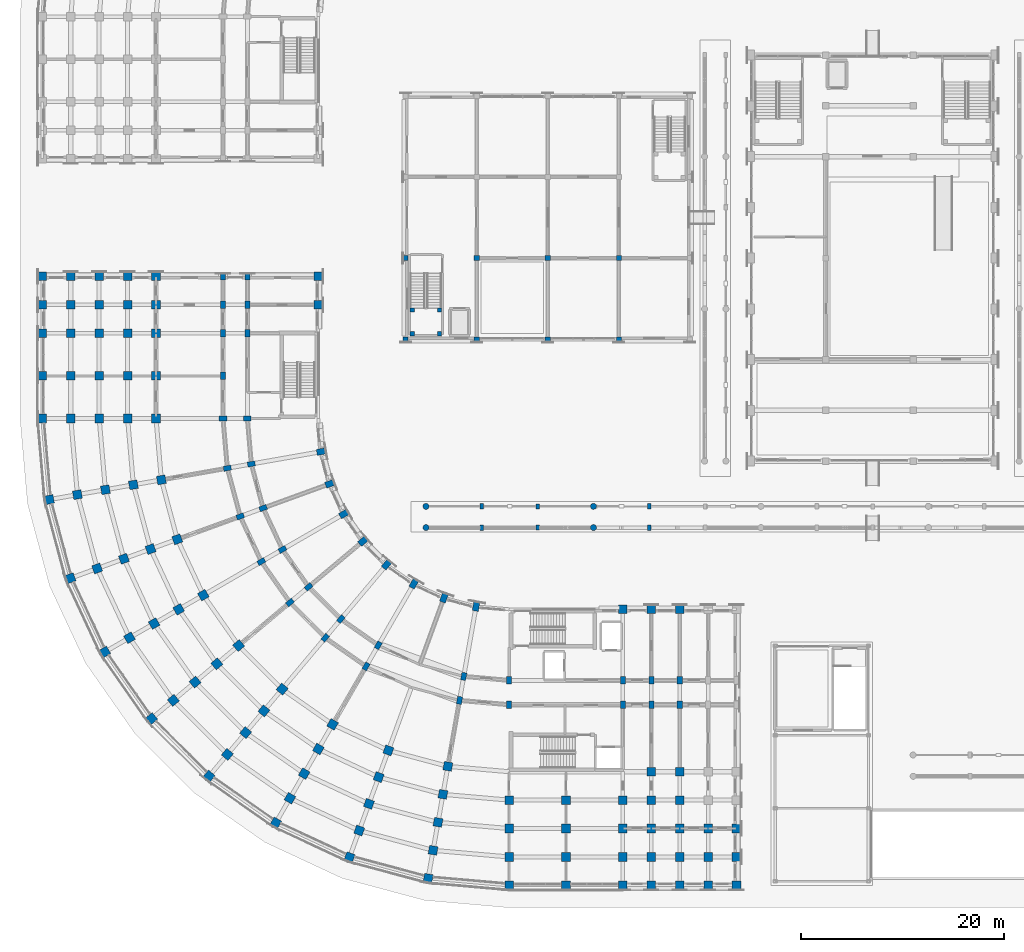
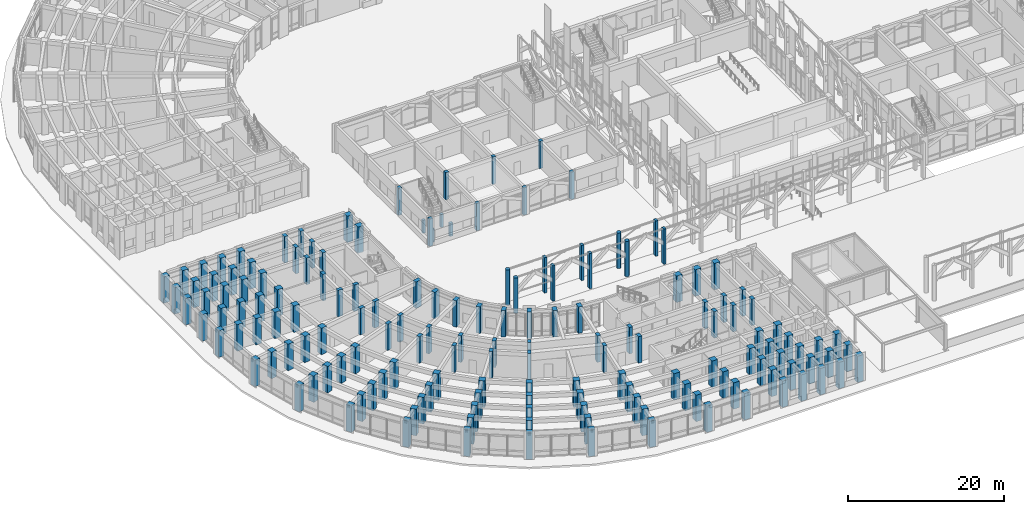
# One storey, part 1 of 135: 159 columns.
"""IFC4 building model written with IfcOpenShell, lengths in metres."""

import ifcopenshell
import ifcopenshell.guid

model = None  # the IFC model being written
_history = None  # IfcOwnerHistory: only IFC2X3 demands one
_inside = {}  # id of a spatial element -> (the spatial element, [elements in it])
_under = {}  # id of a project, library or spatial element -> (it, [spatial elements below it])
_declared = {}  # id of a project -> (the project, [libraries it declares])
_typed = {}  # id of a type object -> (the type object, [elements of that type])
_made_of = {}  # id of a material, layer set ... -> (it, [elements and type objects made of it])


def new_model(schema):
    """Start an empty IFC model of exactly this schema.

    Asked for "IFC4X3", IfcOpenShell would pick the latest addendum, in which some entities
    have other attributes; the version numbers below select the first issue.
    IFC2X3 requires an IfcOwnerHistory on every rooted entity: one is made here for all.
    """
    global model, _history
    if schema == "IFC4X3":
        model = ifcopenshell.file(schema_version=(4, 3, 0, 0))
    else:
        model = ifcopenshell.file(schema=schema)
    _inside.clear()
    _under.clear()
    _declared.clear()
    _typed.clear()
    _made_of.clear()
    _history = None
    if model.schema == "IFC2X3":
        org = make("IfcOrganization", Name="unknown")
        user = make(
            "IfcPersonAndOrganization",
            ThePerson=make("IfcPerson", FamilyName="unknown"),
            TheOrganization=org,
        )
        app = make(
            "IfcApplication",
            ApplicationDeveloper=org,
            Version="unknown",
            ApplicationFullName="unknown",
            ApplicationIdentifier="unknown",
        )
        _history = make(
            "IfcOwnerHistory",
            OwningUser=user,
            OwningApplication=app,
            ChangeAction="ADDED",
            CreationDate=0,
        )
    return model


def make(cls, **values):
    """One entity of the class cls with the attributes given. An attribute that is None is left unset."""
    return model.create_entity(
        cls, **{name: value for name, value in values.items() if value is not None}
    )


def rooted(cls, **values):
    """An entity with a GlobalId (a new one), such as an element, a storey or a relation."""
    return make(cls, GlobalId=ifcopenshell.guid.new(), OwnerHistory=_history, **values)


def si_unit(unit_type, name, prefix=None):
    """IfcSIUnit, for example si_unit("LENGTHUNIT", "METRE", prefix="MILLI")."""
    return make("IfcSIUnit", UnitType=unit_type, Prefix=prefix, Name=name)


def assignment(units):
    """IfcUnitAssignment: the units of a project."""
    return None if units is None else make("IfcUnitAssignment", Units=units)


def point(xyz):
    """IfcCartesianPoint."""
    return None if xyz is None else make("IfcCartesianPoint", Coordinates=xyz)


def direction(xyz):
    """IfcDirection."""
    return None if xyz is None else make("IfcDirection", DirectionRatios=xyz)


def frame(location, z_axis=None, x_axis=None):
    """IfcAxis2Placement3D, a coordinate frame: its origin and axes. An axis left out is left unset."""
    return make(
        "IfcAxis2Placement3D",
        Location=point(location),
        Axis=direction(z_axis),
        RefDirection=direction(x_axis),
    )


def frame_2d(location, x_axis=None):
    """IfcAxis2Placement2D, a coordinate frame in the plane: its origin and x axis."""
    return make(
        "IfcAxis2Placement2D", Location=point(location), RefDirection=direction(x_axis)
    )


def origin():
    """The frame at (0, 0, 0) with its axes left unset."""
    return frame((0.0, 0.0, 0.0))


def origin_2d():
    """The frame at (0, 0) in the plane with its x axis left unset."""
    return frame_2d((0.0, 0.0))


def place(relative_to, where):
    """IfcLocalPlacement: puts the frame where relative to a parent placement (None: the world)."""
    return make(
        "IfcLocalPlacement", PlacementRelTo=relative_to, RelativePlacement=where
    )


def context(
    kind, dimensions, precision=None, world=None, true_north=None, identifier=None
):
    """IfcGeometricRepresentationContext, for example the 3D "Model" context."""
    return make(
        "IfcGeometricRepresentationContext",
        ContextIdentifier=identifier,
        ContextType=kind,
        CoordinateSpaceDimension=dimensions,
        Precision=precision,
        WorldCoordinateSystem=world,
        TrueNorth=true_north,
    )


def subcontext(parent, identifier, kind, view, scale=None):
    """IfcGeometricRepresentationSubContext, for example "Body" below "Model"."""
    return make(
        "IfcGeometricRepresentationSubContext",
        ContextIdentifier=identifier,
        ContextType=kind,
        ParentContext=parent,
        TargetScale=scale,
        TargetView=view,
    )


def project(units=None, contexts=None):
    """IfcProject with its units and contexts."""
    return rooted(
        "IfcProject",
        Name="project",
        RepresentationContexts=contexts,
        UnitsInContext=assignment(units),
    )


def spatial(cls, under=None, at=None, **own):
    """A site, building, storey or space (cls), placed at a placement, below another one or the project."""
    s = rooted(cls, ObjectPlacement=at, **own)
    if under is not None:
        _under.setdefault(under.id(), (under, []))[1].append(s)
    return s


def profile(cls, at=None, kind="AREA", **sizes):
    """A parametric profile (cls). Its sizes go by their IFC names, for example OverallWidth=200.0."""
    return make(cls, ProfileType=kind, Position=at, **sizes)


def rectangle(**sizes):
    """IfcRectangleProfileDef."""
    return profile("IfcRectangleProfileDef", **sizes)


def circle(**sizes):
    """IfcCircleProfileDef."""
    return profile("IfcCircleProfileDef", **sizes)


def extrude(swept, where, along, depth):
    """IfcExtrudedAreaSolid: the profile swept, set in the frame where, extruded along a direction by depth."""
    return make(
        "IfcExtrudedAreaSolid",
        SweptArea=swept,
        Position=where,
        ExtrudedDirection=direction(along),
        Depth=depth,
    )


def shape(context_of_items, identifier, shape_type, items):
    """IfcShapeRepresentation: the items that make up one representation, for example the "Body"."""
    return make(
        "IfcShapeRepresentation",
        ContextOfItems=context_of_items,
        RepresentationIdentifier=identifier,
        RepresentationType=shape_type,
        Items=items,
    )


def material(Name=None, Category=None):
    """IfcMaterial."""
    return make("IfcMaterial", Name=Name, Category=Category)


def material_profile(
    of_material, cross_section, Name=None, Category=None, Priority=None
):
    """IfcMaterialProfile: a cross section and its material."""
    return make(
        "IfcMaterialProfile",
        Name=Name,
        Material=of_material,
        Profile=cross_section,
        Priority=Priority,
        Category=Category,
    )


def profile_set(profiles, Name=None, composite=None):
    """IfcMaterialProfileSet."""
    return make(
        "IfcMaterialProfileSet",
        Name=Name,
        MaterialProfiles=profiles,
        CompositeProfile=composite,
    )


def made_of(thing, what):
    """Note that an element or type object is made of a material, layer set ...; save() writes the relation."""
    if what is not None:
        _made_of.setdefault(what.id(), (what, []))[1].append(thing)
    return thing


def type_object(cls, material=None, **own):
    """A type object (cls), such as IfcWallType, which elements share."""
    return made_of(rooted(cls, **own), material)


def element(
    cls,
    number,
    at=None,
    inside=None,
    cuts=None,
    type_object=None,
    material=None,
    context=None,
    identifier="Body",
    shape_type=None,
    held_by="IfcProductDefinitionShape",
    body=None,
    shapes=None,
    **own,
):
    """One element of the class cls, such as IfcWall. Its Tag is "e" and its number.

    at: its placement. inside: the storey or other place that contains it. cuts: it is an
    opening in that element (IfcRelVoidsElement). A single representation is given by context,
    identifier, shape_type and body (its items); several are given by shapes. held_by: the class
    of the entity that holds the representations. save() writes the other relations.
    """
    e = rooted(cls, Tag="e%d" % number, ObjectPlacement=at, **own)
    if body is not None:
        shapes = [shape(context, identifier, shape_type, body)]
    if shapes is not None:
        e.Representation = make(held_by, Representations=shapes)
    if inside is not None:
        _inside.setdefault(inside.id(), (inside, []))[1].append(e)
    if cuts is not None:
        rooted(
            "IfcRelVoidsElement", RelatingBuildingElement=cuts, RelatedOpeningElement=e
        )
    if type_object is not None:
        _typed.setdefault(type_object.id(), (type_object, []))[1].append(e)
    return made_of(e, material)


def aggregate(whole, parts):
    """IfcRelAggregates: a whole, such as a stair, and the parts it consists of."""
    return rooted("IfcRelAggregates", RelatingObject=whole, RelatedObjects=parts)


def save(model, path):
    """Write the relations noted so far, then the file.

    IfcRelAggregates (storeys below a building ...), IfcRelContainedInSpatialStructure (elements
    in a storey), IfcRelDefinesByType, IfcRelAssociatesMaterial and IfcRelDeclares: one each for
    every whole, place, type object, material and project.
    """
    for whole, parts in _under.values():
        aggregate(whole, parts)
    for where, things in _inside.values():
        rooted(
            "IfcRelContainedInSpatialStructure",
            RelatedElements=things,
            RelatingStructure=where,
        )
    for kind, things in _typed.values():
        rooted("IfcRelDefinesByType", RelatedObjects=things, RelatingType=kind)
    for what, things in _made_of.values():
        rooted("IfcRelAssociatesMaterial", RelatedObjects=things, RelatingMaterial=what)
    for by, libraries in _declared.values():
        rooted("IfcRelDeclares", RelatingContext=by, RelatedDefinitions=libraries)
    model.write(path)


model = new_model("IFC4")

# Units and contexts
model_context = context("Model", 3, precision=1e-05, world=origin(), true_north=direction((0.0, 1.0)))
body_context = subcontext(model_context, "Body", "Model", "MODEL_VIEW")
ifc_project = project(units=[si_unit("LENGTHUNIT", "METRE"), si_unit("AREAUNIT", "SQUARE_METRE"), si_unit("VOLUMEUNIT", "CUBIC_METRE"), si_unit("PLANEANGLEUNIT", "RADIAN"), si_unit("MASSUNIT", "GRAM", prefix="KILO")], contexts=[model_context])

# Site, building, storey
site_placement = place(None, origin())
site = spatial("IfcSite", under=ifc_project, at=site_placement, CompositionType="ELEMENT")
building_placement = place(site_placement, origin())
building = spatial("IfcBuilding", under=site, at=building_placement, Name="Kiranvali Square Residences", CompositionType="ELEMENT")
storey_placement = place(building_placement, origin())
storey = spatial("IfcBuildingStorey", under=building, at=storey_placement, Name="L00", CompositionType="ELEMENT", Elevation=0.0)

# Columns
ifc_material_1 = material(Name="Concrete M40 (40 MPa)", Category="concrete")
ifc_material_profile_1 = material_profile(ifc_material_1, rectangle(XDim=0.39990234375, YDim=0.39990234375, at=origin_2d()), Name="RC 400x400")
ifc_profile_set_1 = profile_set([ifc_material_profile_1], Name="Concrete M40 (40 MPa)")
column_type_1 = type_object("IfcColumnType", Name="COL-M40-400", PredefinedType="COLUMN", material=ifc_profile_set_1)
for number, where, z_axis, x_axis, name in (
    (1, (38.64990234375, 56.550048828125, 0.0), (0.0, 0.0, 1.0), (1.0, 0.0, 0.0), "ST-NR1 mid-landing support column 1"),
    (2, (41.35009765625, 56.550048828125, 0.0), (0.0, 0.0, 1.0), (1.0, 0.0, 0.0), "ST-NR1 mid-landing support column 2"),
    (3, (38.64990234375, 58.8798828125, 0.0), (0.0, 0.0, 1.0), (1.0, 0.0, 0.0), "ST-NR1 mid-landing support column 3"),
    (4, (41.35009765625, 58.8798828125, 0.0), (0.0, 0.0, 1.0), (1.0, 0.0, 0.0), "ST-NR1 mid-landing support column 4"),
):
    element("IfcColumn", number, at=place(storey_placement, frame(where, z_axis=z_axis, x_axis=x_axis)), inside=storey, type_object=column_type_1, Name=name, PredefinedType="COLUMN", context=body_context, shape_type="SweptSolid", body=[
        extrude(rectangle(XDim=0.39990234375, YDim=0.39990234375, at=origin_2d()), origin(), (0.0, 0.0, 1.0), 2.050048828125),
    ])
ifc_material_profile_2 = material_profile(ifc_material_1, rectangle(XDim=0.5, YDim=0.5, at=origin_2d()), Name="RC 500x500")
ifc_profile_set_2 = profile_set([ifc_material_profile_2], Name="Concrete M40 (40 MPa)")
column_type_2 = type_object("IfcColumnType", Name="COL-M40-500", PredefinedType="COLUMN", material=ifc_profile_set_2)
for number, where, z_axis, x_axis, name in (
    (5, (38.0, 56.0, 0.0), (0.0, 0.0, 1.0), (1.0, 0.0, 0.0), "Nursery Pavilion L00 column 0-0"),
    (6, (38.0, 64.0, 0.0), (0.0, 0.0, 1.0), (1.0, 0.0, 0.0), "Nursery Pavilion L00 column 0-1"),
    (7, (45.0, 56.0, 0.0), (0.0, 0.0, 1.0), (1.0, 0.0, 0.0), "Nursery Pavilion L00 column 1-0"),
    (8, (45.0, 64.0, 0.0), (0.0, 0.0, 1.0), (1.0, 0.0, 0.0), "Nursery Pavilion L00 column 1-1"),
    (9, (52.0, 56.0, 0.0), (0.0, 0.0, 1.0), (1.0, 0.0, 0.0), "Nursery Pavilion L00 column 2-0"),
    (10, (52.0, 64.0, 0.0), (0.0, 0.0, 1.0), (1.0, 0.0, 0.0), "Nursery Pavilion L00 column 2-1"),
    (11, (59.0, 56.0, 0.0), (0.0, 0.0, 1.0), (1.0, 0.0, 0.0), "Nursery Pavilion L00 column 3-0"),
    (12, (59.0, 64.0, 0.0), (0.0, 0.0, 1.0), (1.0, 0.0, 0.0), "Nursery Pavilion L00 column 3-1"),
):
    element("IfcColumn", number, at=place(storey_placement, frame(where, z_axis=z_axis, x_axis=x_axis)), inside=storey, type_object=column_type_2, Name=name, PredefinedType="COLUMN", context=body_context, shape_type="SweptSolid", body=[
        extrude(rectangle(XDim=0.5, YDim=0.5, at=origin_2d()), origin(), (0.0, 0.0, 1.0), 4.280029296875),
    ])
ifc_material_2 = material(Name="Concrete M45 (45 MPa)", Category="concrete")
ifc_material_profile_3 = material_profile(ifc_material_2, rectangle(XDim=0.5, YDim=0.75, at=origin_2d()), Name="RC 750x500")
ifc_profile_set_3 = profile_set([ifc_material_profile_3], Name="Concrete M45 (45 MPa)")
column_type_3 = type_object("IfcColumnType", Name="COL-M45-750x500", PredefinedType="COLUMN", material=ifc_profile_set_3)
for number, where, z_axis, x_axis, name in (
    (13, (48.199951171875, 22.39990234375, 0.0), (0.0, 0.0, 1.0), (1.0, 0.0, 0.0), "Block C L00 radial column A00-R1"),
    (14, (48.199951171875, 20.0, 0.0), (0.0, 0.0, 1.0), (1.0, 0.0, 0.0), "Block C L00 radial column A00-R2"),
    (15, (43.719970703125, 22.7919921875, 0.0), (0.0, 0.0, 1.0), (-0.984807753012, 0.173648177667, 0.0), "Block C L00 radial column A01-R1"),
    (16, (43.30322265625, 20.428466796875, 0.0), (0.0, 0.0, 1.0), (-0.984807753012, 0.173648177667, 0.0), "Block C L00 radial column A01-R2"),
    (17, (35.300048828125, 25.8564453125, 0.0), (0.0, 0.0, 1.0), (-0.866025403784, 0.5, 0.0), "Block C L00 radial column A03-R1"),
    (18, (34.10009765625, 23.778076171875, 0.0), (0.0, 0.0, 1.0), (-0.866025403784, 0.5, 0.0), "Block C L00 radial column A03-R2"),
    (19, (31.615966796875, 28.43603515625, 0.0), (0.0, 0.0, 1.0), (-0.766044443119, 0.642787609687, 0.0), "Block C L00 radial column A04-R1"),
    (20, (30.073486328125, 26.59765625, 0.0), (0.0, 0.0, 1.0), (-0.766044443119, 0.642787609687, 0.0), "Block C L00 radial column A04-R2"),
    (21, (28.43603515625, 31.615966796875, 0.0), (0.0, 0.0, 1.0), (-0.642787609687, 0.766044443119, 0.0), "Block C L00 radial column A05-R1"),
    (22, (26.59765625, 30.073486328125, 0.0), (0.0, 0.0, 1.0), (-0.642787609687, 0.766044443119, 0.0), "Block C L00 radial column A05-R2"),
    (23, (25.8564453125, 35.300048828125, 0.0), (0.0, 0.0, 1.0), (-0.5, 0.866025403784, 0.0), "Block C L00 radial column A06-R1"),
    (24, (23.778076171875, 34.10009765625, 0.0), (0.0, 0.0, 1.0), (-0.5, 0.866025403784, 0.0), "Block C L00 radial column A06-R2"),
    (25, (23.955810546875, 39.3759765625, 0.0), (0.0, 0.0, 1.0), (-0.342020143326, 0.939692620786, 0.0), "Block C L00 radial column A07-R1"),
    (26, (21.70068359375, 38.554931640625, 0.0), (0.0, 0.0, 1.0), (-0.342020143326, 0.939692620786, 0.0), "Block C L00 radial column A07-R2"),
    (27, (22.7919921875, 43.719970703125, 0.0), (0.0, 0.0, 1.0), (-0.173648177667, 0.984807753012, 0.0), "Block C L00 radial column A08-R1"),
    (28, (20.428466796875, 43.30322265625, 0.0), (0.0, 0.0, 1.0), (-0.173648177667, 0.984807753012, 0.0), "Block C L00 radial column A08-R2"),
    (29, (22.39990234375, 48.199951171875, 0.0), (0.0, 0.0, 1.0), (0.0, 1.0, 0.0), "Block C L00 radial column A09-R1"),
    (30, (20.0, 48.199951171875, 0.0), (0.0, 0.0, 1.0), (0.0, 1.0, 0.0), "Block C L00 radial column A09-R2"),
    (31, (59.39990234375, 22.39990234375, 0.0), (0.0, 0.0, 1.0), (1.0, 0.0, 0.0), "Block C L00 Arm 1 column U1-R1"),
    (32, (59.39990234375, 20.0, 0.0), (0.0, 0.0, 1.0), (1.0, 0.0, 0.0), "Block C L00 Arm 1 column U1-R2"),
    (33, (62.199951171875, 22.39990234375, 0.0), (0.0, 0.0, 1.0), (1.0, 0.0, 0.0), "Block C L00 Arm 1 column U2-R1"),
    (34, (62.199951171875, 20.0, 0.0), (0.0, 0.0, 1.0), (1.0, 0.0, 0.0), "Block C L00 Arm 1 column U2-R2"),
    (35, (65.0, 22.39990234375, 0.0), (0.0, 0.0, 1.0), (1.0, 0.0, 0.0), "Block C L00 Arm 1 column U3-R1"),
    (36, (65.0, 20.0, 0.0), (0.0, 0.0, 1.0), (1.0, 0.0, 0.0), "Block C L00 Arm 1 column U3-R2"),
    (37, (20.0, 52.39990234375, 0.0), (0.0, 0.0, 1.0), (1.0, 0.0, 0.0), "Block C L00 Arm 2 mid-core column V0-R2"),
    (38, (22.39990234375, 56.60009765625, 0.0), (0.0, 0.0, 1.0), (1.0, 0.0, 0.0), "Block C L00 Arm 2 column V1-R1"),
    (39, (20.0, 56.60009765625, 0.0), (0.0, 0.0, 1.0), (1.0, 0.0, 0.0), "Block C L00 Arm 2 column V1-R2"),
    (40, (22.39990234375, 59.39990234375, 0.0), (0.0, 0.0, 1.0), (1.0, 0.0, 0.0), "Block C L00 Arm 2 column V2-R1"),
    (41, (20.0, 59.39990234375, 0.0), (0.0, 0.0, 1.0), (1.0, 0.0, 0.0), "Block C L00 Arm 2 column V2-R2"),
    (42, (22.39990234375, 62.199951171875, 0.0), (0.0, 0.0, 1.0), (1.0, 0.0, 0.0), "Block C L00 Arm 2 column V3-R1"),
    (43, (20.0, 62.199951171875, 0.0), (0.0, 0.0, 1.0), (1.0, 0.0, 0.0), "Block C L00 Arm 2 column V3-R2"),
):
    element("IfcColumn", number, at=place(storey_placement, frame(where, z_axis=z_axis, x_axis=x_axis)), inside=storey, type_object=column_type_3, Name=name, PredefinedType="COLUMN", context=body_context, shape_type="SweptSolid", body=[
        extrude(rectangle(XDim=0.5, YDim=0.75, at=origin_2d()), origin(), (0.0, 0.0, 1.0), 4.14990234375),
    ])
ifc_material_3 = material(Name="Concrete M50 (50 MPa)", Category="concrete")
ifc_material_profile_4 = material_profile(ifc_material_3, rectangle(XDim=0.85009765625, YDim=0.85009765625, at=origin_2d()), Name="RC 850x850")
ifc_profile_set_4 = profile_set([ifc_material_profile_4], Name="Concrete M50 (50 MPa)")
column_type_4 = type_object("IfcColumnType", Name="COL-M50-850", PredefinedType="COLUMN", material=ifc_profile_set_4)
for number, where, z_axis, x_axis, name in (
    (44, (48.199951171875, 10.60009765625, 0.0), (0.0, 0.0, 1.0), (1.0, 0.0, 0.0), "Block C L00 radial column A00-R4"),
    (45, (48.199951171875, 7.800048828125, 0.0), (0.0, 0.0, 1.0), (1.0, 0.0, 0.0), "Block C L00 radial column A00-R5"),
    (46, (48.199951171875, 5.0, 0.0), (0.0, 0.0, 1.0), (1.0, 0.0, 0.0), "Block C L00 radial column A00-R6"),
    (47, (48.199951171875, 2.199951171875, 0.0), (0.0, 0.0, 1.0), (1.0, 0.0, 0.0), "Block C L00 radial column A00-R7"),
    (48, (42.156982421875, 13.9287109375, 0.0), (0.0, 0.0, 1.0), (-0.984807753012, 0.173648177667, 0.0), "Block C L00 radial column A01-R3"),
    (49, (41.6708984375, 11.171142578125, 0.0), (0.0, 0.0, 1.0), (-0.984807753012, 0.173648177667, 0.0), "Block C L00 radial column A01-R4"),
    (50, (41.1845703125, 8.413818359375, 0.0), (0.0, 0.0, 1.0), (-0.984807753012, 0.173648177667, 0.0), "Block C L00 radial column A01-R5"),
    (51, (40.698486328125, 5.65625, 0.0), (0.0, 0.0, 1.0), (-0.984807753012, 0.173648177667, 0.0), "Block C L00 radial column A01-R6"),
    (52, (40.212158203125, 2.89892578125, 0.0), (0.0, 0.0, 1.0), (-0.984807753012, 0.173648177667, 0.0), "Block C L00 radial column A01-R7"),
    (53, (36.297607421875, 15.498779296875, 0.0), (0.0, 0.0, 1.0), (-0.939692620786, 0.342020143326, 0.0), "Block C L00 radial column A02-R3"),
    (54, (35.340087890625, 12.86767578125, 0.0), (0.0, 0.0, 1.0), (-0.939692620786, 0.342020143326, 0.0), "Block C L00 radial column A02-R4"),
    (55, (34.38232421875, 10.236328125, 0.0), (0.0, 0.0, 1.0), (-0.939692620786, 0.342020143326, 0.0), "Block C L00 radial column A02-R5"),
    (56, (33.4248046875, 7.605224609375, 0.0), (0.0, 0.0, 1.0), (-0.939692620786, 0.342020143326, 0.0), "Block C L00 radial column A02-R6"),
    (57, (32.467041015625, 4.97412109375, 0.0), (0.0, 0.0, 1.0), (-0.939692620786, 0.342020143326, 0.0), "Block C L00 radial column A02-R7"),
    (58, (30.800048828125, 18.062255859375, 0.0), (0.0, 0.0, 1.0), (-0.866025403784, 0.5, 0.0), "Block C L00 radial column A03-R3"),
    (59, (29.39990234375, 15.637451171875, 0.0), (0.0, 0.0, 1.0), (-0.866025403784, 0.5, 0.0), "Block C L00 radial column A03-R4"),
    (60, (28.0, 13.212646484375, 0.0), (0.0, 0.0, 1.0), (-0.866025403784, 0.5, 0.0), "Block C L00 radial column A03-R5"),
    (61, (26.60009765625, 10.78759765625, 0.0), (0.0, 0.0, 1.0), (-0.866025403784, 0.5, 0.0), "Block C L00 radial column A03-R6"),
    (62, (25.199951171875, 8.36279296875, 0.0), (0.0, 0.0, 1.0), (-0.866025403784, 0.5, 0.0), "Block C L00 radial column A03-R7"),
    (63, (25.8310546875, 21.541748046875, 0.0), (0.0, 0.0, 1.0), (-0.766044443119, 0.642787609687, 0.0), "Block C L00 radial column A04-R3"),
    (64, (24.03125, 19.396728515625, 0.0), (0.0, 0.0, 1.0), (-0.766044443119, 0.642787609687, 0.0), "Block C L00 radial column A04-R4"),
    (65, (22.2314453125, 17.251708984375, 0.0), (0.0, 0.0, 1.0), (-0.766044443119, 0.642787609687, 0.0), "Block C L00 radial column A04-R5"),
    (66, (20.431640625, 15.10693359375, 0.0), (0.0, 0.0, 1.0), (-0.766044443119, 0.642787609687, 0.0), "Block C L00 radial column A04-R6"),
    (67, (18.6318359375, 12.9619140625, 0.0), (0.0, 0.0, 1.0), (-0.766044443119, 0.642787609687, 0.0), "Block C L00 radial column A04-R7"),
    (68, (21.541748046875, 25.8310546875, 0.0), (0.0, 0.0, 1.0), (-0.642787609687, 0.766044443119, 0.0), "Block C L00 radial column A05-R3"),
    (69, (19.396728515625, 24.03125, 0.0), (0.0, 0.0, 1.0), (-0.642787609687, 0.766044443119, 0.0), "Block C L00 radial column A05-R4"),
    (70, (17.251708984375, 22.2314453125, 0.0), (0.0, 0.0, 1.0), (-0.642787609687, 0.766044443119, 0.0), "Block C L00 radial column A05-R5"),
    (71, (15.10693359375, 20.431640625, 0.0), (0.0, 0.0, 1.0), (-0.642787609687, 0.766044443119, 0.0), "Block C L00 radial column A05-R6"),
    (72, (12.9619140625, 18.6318359375, 0.0), (0.0, 0.0, 1.0), (-0.642787609687, 0.766044443119, 0.0), "Block C L00 radial column A05-R7"),
    (73, (18.062255859375, 30.800048828125, 0.0), (0.0, 0.0, 1.0), (-0.5, 0.866025403784, 0.0), "Block C L00 radial column A06-R3"),
    (74, (15.637451171875, 29.39990234375, 0.0), (0.0, 0.0, 1.0), (-0.5, 0.866025403784, 0.0), "Block C L00 radial column A06-R4"),
    (75, (13.212646484375, 28.0, 0.0), (0.0, 0.0, 1.0), (-0.5, 0.866025403784, 0.0), "Block C L00 radial column A06-R5"),
    (76, (10.78759765625, 26.60009765625, 0.0), (0.0, 0.0, 1.0), (-0.5, 0.866025403784, 0.0), "Block C L00 radial column A06-R6"),
    (77, (8.36279296875, 25.199951171875, 0.0), (0.0, 0.0, 1.0), (-0.5, 0.866025403784, 0.0), "Block C L00 radial column A06-R7"),
    (78, (15.498779296875, 36.297607421875, 0.0), (0.0, 0.0, 1.0), (-0.342020143326, 0.939692620786, 0.0), "Block C L00 radial column A07-R3"),
    (79, (12.86767578125, 35.340087890625, 0.0), (0.0, 0.0, 1.0), (-0.342020143326, 0.939692620786, 0.0), "Block C L00 radial column A07-R4"),
    (80, (10.236328125, 34.38232421875, 0.0), (0.0, 0.0, 1.0), (-0.342020143326, 0.939692620786, 0.0), "Block C L00 radial column A07-R5"),
    (81, (7.605224609375, 33.4248046875, 0.0), (0.0, 0.0, 1.0), (-0.342020143326, 0.939692620786, 0.0), "Block C L00 radial column A07-R6"),
    (82, (4.97412109375, 32.467041015625, 0.0), (0.0, 0.0, 1.0), (-0.342020143326, 0.939692620786, 0.0), "Block C L00 radial column A07-R7"),
    (83, (13.9287109375, 42.156982421875, 0.0), (0.0, 0.0, 1.0), (-0.173648177667, 0.984807753012, 0.0), "Block C L00 radial column A08-R3"),
    (84, (11.171142578125, 41.6708984375, 0.0), (0.0, 0.0, 1.0), (-0.173648177667, 0.984807753012, 0.0), "Block C L00 radial column A08-R4"),
    (85, (8.413818359375, 41.1845703125, 0.0), (0.0, 0.0, 1.0), (-0.173648177667, 0.984807753012, 0.0), "Block C L00 radial column A08-R5"),
    (86, (5.65625, 40.698486328125, 0.0), (0.0, 0.0, 1.0), (-0.173648177667, 0.984807753012, 0.0), "Block C L00 radial column A08-R6"),
    (87, (2.89892578125, 40.212158203125, 0.0), (0.0, 0.0, 1.0), (-0.173648177667, 0.984807753012, 0.0), "Block C L00 radial column A08-R7"),
    (88, (13.39990234375, 48.199951171875, 0.0), (0.0, 0.0, 1.0), (0.0, 1.0, 0.0), "Block C L00 radial column A09-R3"),
    (89, (10.60009765625, 48.199951171875, 0.0), (0.0, 0.0, 1.0), (0.0, 1.0, 0.0), "Block C L00 radial column A09-R4"),
    (90, (7.800048828125, 48.199951171875, 0.0), (0.0, 0.0, 1.0), (0.0, 1.0, 0.0), "Block C L00 radial column A09-R5"),
    (91, (5.0, 48.199951171875, 0.0), (0.0, 0.0, 1.0), (0.0, 1.0, 0.0), "Block C L00 radial column A09-R6"),
    (92, (2.199951171875, 48.199951171875, 0.0), (0.0, 0.0, 1.0), (0.0, 1.0, 0.0), "Block C L00 radial column A09-R7"),
    (93, (53.800048828125, 10.60009765625, 0.0), (0.0, 0.0, 1.0), (1.0, 0.0, 0.0), "Block C L00 core-front column U0-R4"),
    (94, (53.800048828125, 7.800048828125, 0.0), (0.0, 0.0, 1.0), (1.0, 0.0, 0.0), "Block C L00 core-front column U0-R5"),
    (95, (53.800048828125, 5.0, 0.0), (0.0, 0.0, 1.0), (1.0, 0.0, 0.0), "Block C L00 core-front column U0-R6"),
    (96, (53.800048828125, 2.199951171875, 0.0), (0.0, 0.0, 1.0), (1.0, 0.0, 0.0), "Block C L00 core-front column U0-R7"),
    (97, (59.39990234375, 29.39990234375, 0.0), (0.0, 0.0, 1.0), (1.0, 0.0, 0.0), "Block C L00 Arm 1 column U1-R0"),
    (98, (59.39990234375, 10.60009765625, 0.0), (0.0, 0.0, 1.0), (1.0, 0.0, 0.0), "Block C L00 Arm 1 column U1-R4"),
    (99, (59.39990234375, 7.800048828125, 0.0), (0.0, 0.0, 1.0), (1.0, 0.0, 0.0), "Block C L00 Arm 1 column U1-R5"),
    (100, (59.39990234375, 5.0, 0.0), (0.0, 0.0, 1.0), (1.0, 0.0, 0.0), "Block C L00 Arm 1 column U1-R6"),
    (101, (59.39990234375, 2.199951171875, 0.0), (0.0, 0.0, 1.0), (1.0, 0.0, 0.0), "Block C L00 Arm 1 column U1-R7"),
    (102, (62.199951171875, 29.39990234375, 0.0), (0.0, 0.0, 1.0), (1.0, 0.0, 0.0), "Block C L00 Arm 1 column U2-R0"),
    (103, (62.199951171875, 13.39990234375, 0.0), (0.0, 0.0, 1.0), (1.0, 0.0, 0.0), "Block C L00 Arm 1 column U2-R3"),
    (104, (62.199951171875, 10.60009765625, 0.0), (0.0, 0.0, 1.0), (1.0, 0.0, 0.0), "Block C L00 Arm 1 column U2-R4"),
    (105, (62.199951171875, 7.800048828125, 0.0), (0.0, 0.0, 1.0), (1.0, 0.0, 0.0), "Block C L00 Arm 1 column U2-R5"),
    (106, (62.199951171875, 5.0, 0.0), (0.0, 0.0, 1.0), (1.0, 0.0, 0.0), "Block C L00 Arm 1 column U2-R6"),
    (107, (62.199951171875, 2.199951171875, 0.0), (0.0, 0.0, 1.0), (1.0, 0.0, 0.0), "Block C L00 Arm 1 column U2-R7"),
    (108, (65.0, 29.39990234375, 0.0), (0.0, 0.0, 1.0), (1.0, 0.0, 0.0), "Block C L00 Arm 1 column U3-R0"),
    (109, (65.0, 13.39990234375, 0.0), (0.0, 0.0, 1.0), (1.0, 0.0, 0.0), "Block C L00 Arm 1 column U3-R3"),
    (110, (65.0, 10.60009765625, 0.0), (0.0, 0.0, 1.0), (1.0, 0.0, 0.0), "Block C L00 Arm 1 column U3-R4"),
    (111, (65.0, 7.800048828125, 0.0), (0.0, 0.0, 1.0), (1.0, 0.0, 0.0), "Block C L00 Arm 1 column U3-R5"),
    (112, (65.0, 5.0, 0.0), (0.0, 0.0, 1.0), (1.0, 0.0, 0.0), "Block C L00 Arm 1 column U3-R6"),
    (113, (65.0, 2.199951171875, 0.0), (0.0, 0.0, 1.0), (1.0, 0.0, 0.0), "Block C L00 Arm 1 column U3-R7"),
    (114, (67.800048828125, 7.800048828125, 0.0), (0.0, 0.0, 1.0), (1.0, 0.0, 0.0), "Block C L00 Arm 1 column U4-R5"),
    (115, (67.800048828125, 5.0, 0.0), (0.0, 0.0, 1.0), (1.0, 0.0, 0.0), "Block C L00 Arm 1 column U4-R6"),
    (116, (67.800048828125, 2.199951171875, 0.0), (0.0, 0.0, 1.0), (1.0, 0.0, 0.0), "Block C L00 Arm 1 column U4-R7"),
    (117, (70.60009765625, 7.800048828125, 0.0), (0.0, 0.0, 1.0), (1.0, 0.0, 0.0), "Block C L00 Arm 1 column U5-R5"),
    (118, (70.60009765625, 5.0, 0.0), (0.0, 0.0, 1.0), (1.0, 0.0, 0.0), "Block C L00 Arm 1 column U5-R6"),
    (119, (70.60009765625, 2.199951171875, 0.0), (0.0, 0.0, 1.0), (1.0, 0.0, 0.0), "Block C L00 Arm 1 column U5-R7"),
    (120, (13.39990234375, 52.39990234375, 0.0), (0.0, 0.0, 1.0), (1.0, 0.0, 0.0), "Block C L00 Arm 2 mid-core column V0-R3"),
    (121, (10.60009765625, 52.39990234375, 0.0), (0.0, 0.0, 1.0), (1.0, 0.0, 0.0), "Block C L00 Arm 2 mid-core column V0-R4"),
    (122, (7.800048828125, 52.39990234375, 0.0), (0.0, 0.0, 1.0), (1.0, 0.0, 0.0), "Block C L00 Arm 2 mid-core column V0-R5"),
    (123, (5.0, 52.39990234375, 0.0), (0.0, 0.0, 1.0), (1.0, 0.0, 0.0), "Block C L00 Arm 2 mid-core column V0-R6"),
    (124, (2.199951171875, 52.39990234375, 0.0), (0.0, 0.0, 1.0), (1.0, 0.0, 0.0), "Block C L00 Arm 2 mid-core column V0-R7"),
    (125, (13.39990234375, 56.60009765625, 0.0), (0.0, 0.0, 1.0), (1.0, 0.0, 0.0), "Block C L00 Arm 2 column V1-R3"),
    (126, (10.60009765625, 56.60009765625, 0.0), (0.0, 0.0, 1.0), (1.0, 0.0, 0.0), "Block C L00 Arm 2 column V1-R4"),
    (127, (7.800048828125, 56.60009765625, 0.0), (0.0, 0.0, 1.0), (1.0, 0.0, 0.0), "Block C L00 Arm 2 column V1-R5"),
    (128, (5.0, 56.60009765625, 0.0), (0.0, 0.0, 1.0), (1.0, 0.0, 0.0), "Block C L00 Arm 2 column V1-R6"),
    (129, (2.199951171875, 56.60009765625, 0.0), (0.0, 0.0, 1.0), (1.0, 0.0, 0.0), "Block C L00 Arm 2 column V1-R7"),
    (130, (29.39990234375, 59.39990234375, 0.0), (0.0, 0.0, 1.0), (1.0, 0.0, 0.0), "Block C L00 Arm 2 column V2-R0"),
    (131, (13.39990234375, 59.39990234375, 0.0), (0.0, 0.0, 1.0), (1.0, 0.0, 0.0), "Block C L00 Arm 2 column V2-R3"),
    (132, (10.60009765625, 59.39990234375, 0.0), (0.0, 0.0, 1.0), (1.0, 0.0, 0.0), "Block C L00 Arm 2 column V2-R4"),
    (133, (7.800048828125, 59.39990234375, 0.0), (0.0, 0.0, 1.0), (1.0, 0.0, 0.0), "Block C L00 Arm 2 column V2-R5"),
    (134, (5.0, 59.39990234375, 0.0), (0.0, 0.0, 1.0), (1.0, 0.0, 0.0), "Block C L00 Arm 2 column V2-R6"),
    (135, (2.199951171875, 59.39990234375, 0.0), (0.0, 0.0, 1.0), (1.0, 0.0, 0.0), "Block C L00 Arm 2 column V2-R7"),
    (136, (29.39990234375, 62.199951171875, 0.0), (0.0, 0.0, 1.0), (1.0, 0.0, 0.0), "Block C L00 Arm 2 column V3-R0"),
    (137, (13.39990234375, 62.199951171875, 0.0), (0.0, 0.0, 1.0), (1.0, 0.0, 0.0), "Block C L00 Arm 2 column V3-R3"),
    (138, (10.60009765625, 62.199951171875, 0.0), (0.0, 0.0, 1.0), (1.0, 0.0, 0.0), "Block C L00 Arm 2 column V3-R4"),
    (139, (7.800048828125, 62.199951171875, 0.0), (0.0, 0.0, 1.0), (1.0, 0.0, 0.0), "Block C L00 Arm 2 column V3-R5"),
    (140, (5.0, 62.199951171875, 0.0), (0.0, 0.0, 1.0), (1.0, 0.0, 0.0), "Block C L00 Arm 2 column V3-R6"),
    (141, (2.199951171875, 62.199951171875, 0.0), (0.0, 0.0, 1.0), (1.0, 0.0, 0.0), "Block C L00 Arm 2 column V3-R7"),
):
    element("IfcColumn", number, at=place(storey_placement, frame(where, z_axis=z_axis, x_axis=x_axis)), inside=storey, type_object=column_type_4, Name=name, PredefinedType="COLUMN", context=body_context, shape_type="SweptSolid", body=[
        extrude(rectangle(XDim=0.85009765625, YDim=0.85009765625, at=origin_2d()), origin(), (0.0, 0.0, 1.0), 4.14990234375),
    ])
ifc_material_profile_5 = material_profile(ifc_material_3, rectangle(XDim=0.60009765625, YDim=0.89990234375, at=origin_2d()), Name="RC 900x600")
ifc_profile_set_5 = profile_set([ifc_material_profile_5], Name="Concrete M50 (50 MPa)")
column_type_5 = type_object("IfcColumnType", Name="COL-M50-900x600", PredefinedType="COLUMN", material=ifc_profile_set_5)
for number, where, z_axis, x_axis, name in (
    (142, (44.935302734375, 29.685546875, 0.0), (0.0, 0.0, 1.0), (-0.984807753012, 0.173648177667, 0.0), "Block C L00 radial column A01-R0"),
    (143, (41.77001953125, 30.53369140625, 0.0), (0.0, 0.0, 1.0), (-0.939692620786, 0.342020143326, 0.0), "Block C L00 radial column A02-R0"),
    (144, (38.800048828125, 31.918701171875, 0.0), (0.0, 0.0, 1.0), (-0.866025403784, 0.5, 0.0), "Block C L00 radial column A03-R0"),
    (145, (36.115478515625, 33.79833984375, 0.0), (0.0, 0.0, 1.0), (-0.766044443119, 0.642787609687, 0.0), "Block C L00 radial column A04-R0"),
    (146, (33.79833984375, 36.115478515625, 0.0), (0.0, 0.0, 1.0), (-0.642787609687, 0.766044443119, 0.0), "Block C L00 radial column A05-R0"),
    (147, (31.918701171875, 38.800048828125, 0.0), (0.0, 0.0, 1.0), (-0.5, 0.866025403784, 0.0), "Block C L00 radial column A06-R0"),
    (148, (30.53369140625, 41.77001953125, 0.0), (0.0, 0.0, 1.0), (-0.342020143326, 0.939692620786, 0.0), "Block C L00 radial column A07-R0"),
    (149, (29.685546875, 44.935302734375, 0.0), (0.0, 0.0, 1.0), (-0.173648177667, 0.984807753012, 0.0), "Block C L00 radial column A08-R0"),
):
    element("IfcColumn", number, at=place(storey_placement, frame(where, z_axis=z_axis, x_axis=x_axis)), inside=storey, type_object=column_type_5, Name=name, PredefinedType="COLUMN", context=body_context, shape_type="SweptSolid", body=[
        extrude(rectangle(XDim=0.60009765625, YDim=0.89990234375, at=origin_2d()), origin(), (0.0, 0.0, 1.0), 4.14990234375),
    ])
ifc_material_profile_6 = material_profile(ifc_material_1, rectangle(XDim=0.35009765625, YDim=0.5, at=origin_2d()), Name="RC 500x350")
ifc_profile_set_6 = profile_set([ifc_material_profile_6], Name="Concrete M40 (40 MPa)")
column_type_6 = type_object("IfcColumnType", Name="PIL-M40-500x350", PredefinedType="PILASTER", material=ifc_profile_set_6)
for number, where, z_axis, x_axis, name in (
    (150, (51.0, 37.449951171875, 0.0), (0.0, 0.0, 1.0), (1.0, 0.0, 0.0), "Ottoman pointed-arch colonnade pilaster ARC-GDN-S-3"),
    (151, (51.0, 39.550048828125, 0.0), (0.0, 0.0, 1.0), (1.0, 0.0, 0.0), "Ottoman pointed-arch colonnade inner pilaster ARC-GDN-S-3B"),
):
    element("IfcColumn", number, at=place(storey_placement, frame(where, z_axis=z_axis, x_axis=x_axis)), inside=storey, type_object=column_type_6, Name=name, PredefinedType="PILASTER", context=body_context, shape_type="SweptSolid", body=[
        extrude(rectangle(XDim=0.35009765625, YDim=0.5, at=origin_2d()), origin(), (0.0, 0.0, 1.0), 5.56005859375),
    ])
ifc_material_profile_7 = material_profile(ifc_material_1, rectangle(XDim=0.35009765625, YDim=0.550048828125, at=origin_2d()), Name="RC 550x350")
ifc_profile_set_7 = profile_set([ifc_material_profile_7], Name="Concrete M40 (40 MPa)")
column_type_7 = type_object("IfcColumnType", Name="PIL-M40-550x350", PredefinedType="PILASTER", material=ifc_profile_set_7)
for number, where, z_axis, x_axis, name in (
    (152, (45.5, 37.449951171875, 0.0), (0.0, 0.0, 1.0), (1.0, 0.0, 0.0), "Ottoman pointed-arch colonnade pilaster ARC-GDN-S-2"),
    (153, (45.5, 39.550048828125, 0.0), (0.0, 0.0, 1.0), (1.0, 0.0, 0.0), "Ottoman pointed-arch colonnade inner pilaster ARC-GDN-S-2B"),
    (154, (62.0, 37.449951171875, 0.0), (0.0, 0.0, 1.0), (1.0, 0.0, 0.0), "Ottoman pointed-arch colonnade pilaster ARC-GDN-S-5"),
    (155, (62.0, 39.550048828125, 0.0), (0.0, 0.0, 1.0), (1.0, 0.0, 0.0), "Ottoman pointed-arch colonnade inner pilaster ARC-GDN-S-5B"),
):
    element("IfcColumn", number, at=place(storey_placement, frame(where, z_axis=z_axis, x_axis=x_axis)), inside=storey, type_object=column_type_7, Name=name, PredefinedType="PILASTER", context=body_context, shape_type="SweptSolid", body=[
        extrude(rectangle(XDim=0.35009765625, YDim=0.550048828125, at=origin_2d()), origin(), (0.0, 0.0, 1.0), 5.56005859375),
    ])
ifc_material_profile_8 = material_profile(ifc_material_1, circle(Radius=0.300048828125, at=origin_2d()), Name="RC-CIRC 600")
ifc_profile_set_8 = profile_set([ifc_material_profile_8], Name="Concrete M40 (40 MPa)")
column_type_8 = type_object("IfcColumnType", Name="PIL-M40-C600", PredefinedType="PILASTER", material=ifc_profile_set_8)
for number, where, z_axis, x_axis, name in (
    (156, (40.0, 37.449951171875, 0.0), (0.0, 0.0, 1.0), (1.0, 0.0, 0.0), "Ottoman pointed-arch colonnade pilaster ARC-GDN-S-1"),
    (157, (40.0, 39.550048828125, 0.0), (0.0, 0.0, 1.0), (1.0, 0.0, 0.0), "Ottoman pointed-arch colonnade inner pilaster ARC-GDN-S-1B"),
    (158, (56.5, 37.449951171875, 0.0), (0.0, 0.0, 1.0), (1.0, 0.0, 0.0), "Ottoman pointed-arch colonnade pilaster ARC-GDN-S-4"),
    (159, (56.5, 39.550048828125, 0.0), (0.0, 0.0, 1.0), (1.0, 0.0, 0.0), "Ottoman pointed-arch colonnade inner pilaster ARC-GDN-S-4B"),
):
    element("IfcColumn", number, at=place(storey_placement, frame(where, z_axis=z_axis, x_axis=x_axis)), inside=storey, type_object=column_type_8, Name=name, PredefinedType="PILASTER", context=body_context, shape_type="SweptSolid", body=[
        extrude(circle(Radius=0.300048828125, at=origin_2d()), origin(), (0.0, 0.0, 1.0), 5.56005859375),
    ])

save(model, "model.ifc")
